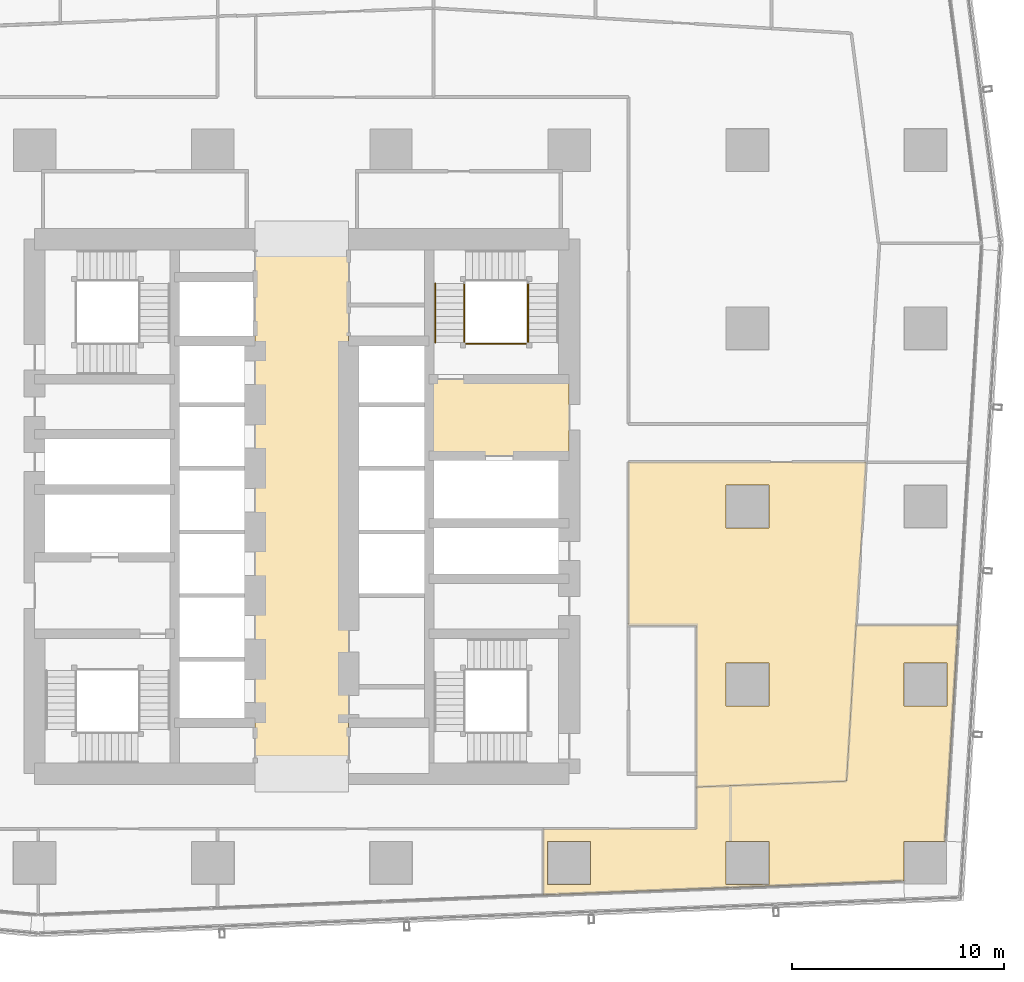
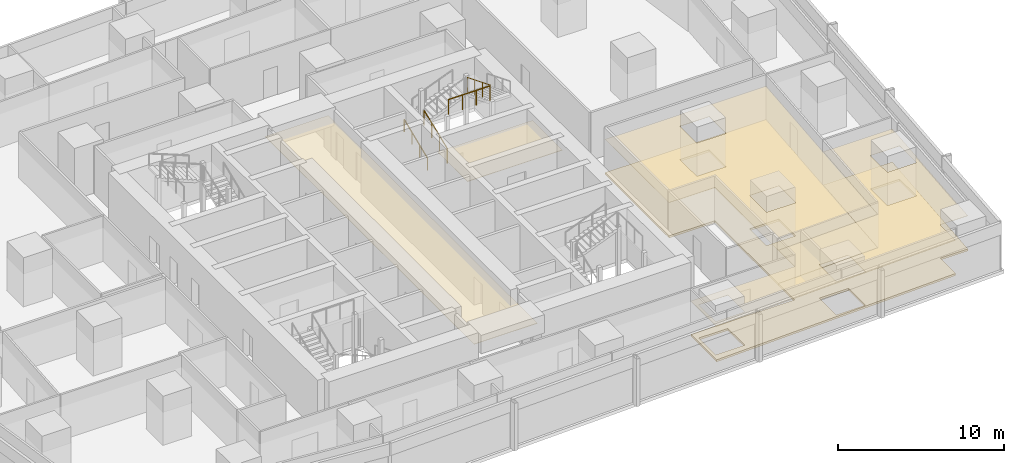
# One storey, part 37 of 39: 6 coverings, 4 railings.
"""IFC4 building model written with IfcOpenShell, lengths in metres."""

from ifc_helpers import new_model, si_unit, direction, frame, origin, origin_2d, place, context, subcontext, project, spatial, polyline, circle, outline, extrude, material, layer, layer_set, type_object, element, save


model = new_model("IFC4")

# Units and contexts
model_context = context("Model", 3, precision=1e-05, world=origin(), true_north=direction((0.0, 1.0)))
body_context = subcontext(model_context, "Body", "Model", "MODEL_VIEW")
ifc_project = project(units=[si_unit("LENGTHUNIT", "METRE"), si_unit("AREAUNIT", "SQUARE_METRE"), si_unit("VOLUMEUNIT", "CUBIC_METRE"), si_unit("PLANEANGLEUNIT", "RADIAN"), si_unit("MASSUNIT", "GRAM", prefix="KILO")], contexts=[model_context])

# Site, building, storey
site_placement = place(None, origin())
site = spatial("IfcSite", under=ifc_project, at=site_placement, CompositionType="ELEMENT")
building_placement = place(site_placement, origin())
building = spatial("IfcBuilding", under=site, at=building_placement, Name="Rekha Terrace Tower", CompositionType="ELEMENT")
storey_placement = place(building_placement, frame((0.0, 0.0, 151.550048828125)))
storey = spatial("IfcBuildingStorey", under=building, at=storey_placement, Name="L38", CompositionType="ELEMENT", Elevation=151.550048828125)

# Coverings
ifc_material_1 = material(Name="Mineral fibre tile in exposed grid", Category="finish")
ifc_layer_1 = layer(ifc_material_1, 0.02001953125)
ifc_layer_set_1 = layer_set([ifc_layer_1], Name="Mineral fibre tile in exposed grid")
covering_type_1 = type_object("IfcCoveringType", Name="CL1 600x1200 office grid ceiling", PredefinedType="CEILING", material=ifc_layer_set_1)
covering_1_placement = place(storey_placement, frame((0.0, 0.0, 2.579833984375)))
element("IfcCovering", 1, at=covering_1_placement, inside=storey, type_object=covering_type_1, Name="Ceiling L38-02", PredefinedType="CEILING", context=body_context, shape_type="SweptSolid", body=[
    extrude(outline(polyline([(63.47607421875, 20.64990234375), (58.011962890625, 20.43701171875), (56.39990234375, 20.3740234375), (56.39990234375, 18.39990234375), (49.179931640625, 18.39990234375), (49.179931640625, 15.2900390625), (58.010986328125, 15.633056640625), (66.18505859375, 15.950927734375), (66.18505859375, 17.81494140625), (68.111083984375, 17.81494140625), (68.735107421875, 27.9970703125), (63.926025390625, 27.9970703125), (63.47607421875, 20.64990234375)]), holes=[polyline([(68.215087890625, 24.18505859375), (66.18505859375, 24.18505859375), (66.18505859375, 26.215087890625), (68.215087890625, 26.215087890625), (68.215087890625, 24.18505859375)]), polyline([(59.81494140625, 15.784912109375), (57.784912109375, 15.784912109375), (57.784912109375, 17.81494140625), (59.81494140625, 17.81494140625), (59.81494140625, 15.784912109375)]), polyline([(51.4150390625, 15.784912109375), (49.385009765625, 15.784912109375), (49.385009765625, 17.81494140625), (51.4150390625, 17.81494140625), (51.4150390625, 15.784912109375)])]), origin(), (0.0, 0.0, 1.0), 0.02001953125),
])
covering_2_placement = place(storey_placement, frame((0.0, 0.0, 2.579833984375)))
element("IfcCovering", 2, at=covering_2_placement, inside=storey, type_object=covering_type_1, Name="Ceiling L38-O1b", PredefinedType="CEILING", context=body_context, shape_type="SweptSolid", body=[
    extrude(outline(polyline([(56.39990234375, 20.3740234375), (58.010009765625, 20.43701171875), (63.47607421875, 20.64990234375), (63.926025390625, 27.998046875), (64.39697265625, 35.68994140625), (53.199951171875, 35.68994140625), (53.199951171875, 28.0), (56.39990234375, 28.0), (56.39990234375, 20.3740234375)]), holes=[polyline([(59.81494140625, 26.215087890625), (59.81494140625, 24.18505859375), (57.784912109375, 24.18505859375), (57.784912109375, 26.215087890625), (59.81494140625, 26.215087890625)]), polyline([(59.81494140625, 32.5849609375), (57.784912109375, 32.5849609375), (57.784912109375, 34.614990234375), (59.81494140625, 34.614990234375), (59.81494140625, 32.5849609375)])]), origin(), (0.0, 0.0, 1.0), 0.02001953125),
])
ifc_material_2 = material(Name="Powder-coated aluminium pan", Category="aluminium")
ifc_layer_2 = layer(ifc_material_2, 0.030029296875)
ifc_layer_set_2 = layer_set([ifc_layer_2], Name="Powder-coated aluminium pan")
covering_type_2 = type_object("IfcCoveringType", Name="CL3 300x1200 metal pan ceiling", PredefinedType="CEILING", material=ifc_layer_set_2)
covering_3_placement = place(storey_placement, frame((0.0, 0.0, 2.570068359375)))
element("IfcCovering", 3, at=covering_3_placement, inside=storey, type_object=covering_type_2, Name="Ceiling L38-LOBBY", PredefinedType="CEILING", context=body_context, shape_type="SweptSolid", body=[
    extrude(outline(polyline([(40.0, 46.199951171875), (35.60009765625, 46.199951171875), (35.60009765625, 21.0), (40.0, 21.0), (40.0, 46.199951171875)])), origin(), (0.0, 0.0, 1.0), 0.02978515625),
])
covering_4_placement = place(storey_placement, frame((0.0, 0.0, 2.570068359375)))
element("IfcCovering", 4, at=covering_4_placement, inside=storey, type_object=covering_type_2, Name="Ceiling L38-FLB2", PredefinedType="CEILING", context=body_context, shape_type="SweptSolid", body=[
    extrude(outline(polyline([(50.39990234375, 39.60009765625), (43.800048828125, 39.60009765625), (43.800048828125, 36.0), (50.39990234375, 36.0), (50.39990234375, 39.60009765625)])), origin(), (0.0, 0.0, 1.0), 0.02978515625),
])

# Railings
ifc_material_3 = material(Name="Stainless steel balustrade", Category="steel")
railing_type_1 = type_object("IfcRailingType", Name="GR1 1100 stair guard", PredefinedType="GUARDRAIL", material=ifc_material_3)
railing_1_placement = place(storey_placement, frame((45.465087890625, 41.324951171875, 0.125)))
element("IfcRailing", 5, at=railing_1_placement, inside=storey, type_object=railing_type_1, Name="Guard ST2 L38 flight 1", PredefinedType="GUARDRAIL", context=body_context, shape_type="SweptSolid", body=[
    extrude(circle(Radius=0.02392578125, at=origin_2d()), frame((0.0, 0.0, 1.076171875), z_axis=(0.0, 0.927443287984, 0.373963831907), x_axis=(-1.0, 0.0, 0.0)), (0.0, 0.0, 1.0), 3.00830078125),
    extrude(circle(Radius=0.02099609375, at=origin_2d()), origin(), (0.0, 0.0, 1.0), 1.052001953125),
    extrude(circle(Radius=0.02099609375, at=origin_2d()), frame((0.0, 0.929931640625, 0.375)), (0.0, 0.0, 1.0), 1.052001953125),
    extrude(circle(Radius=0.02099609375, at=origin_2d()), frame((0.0, 1.860107421875, 0.75)), (0.0, 0.0, 1.0), 1.052001953125),
    extrude(circle(Radius=0.02099609375, at=origin_2d()), frame((0.0, 2.7900390625, 1.125)), (0.0, 0.0, 1.0), 1.052001953125),
])
railing_2_placement = place(storey_placement, frame((48.4599609375, 44.114990234375, 2.625)))
element("IfcRailing", 6, at=railing_2_placement, inside=storey, type_object=railing_type_1, Name="Guard ST2 L38 flight 3", PredefinedType="GUARDRAIL", context=body_context, shape_type="SweptSolid", body=[
    extrude(circle(Radius=0.02392578125, at=origin_2d()), frame((0.0, 0.0, 1.076171875), z_axis=(0.0, -0.927443287984, 0.373963831907), x_axis=(1.0, 0.0, 0.0)), (0.0, 0.0, 1.0), 3.00830078125),
    extrude(circle(Radius=0.02099609375, at=origin_2d()), origin(), (0.0, 0.0, 1.0), 1.052001953125),
    extrude(circle(Radius=0.02099609375, at=origin_2d()), frame((0.0, -0.929931640625, 0.375)), (0.0, 0.0, 1.0), 1.052001953125),
    extrude(circle(Radius=0.02099609375, at=origin_2d()), frame((0.0, -1.860107421875, 0.75)), (0.0, 0.0, 1.0), 1.052001953125),
    extrude(circle(Radius=0.02099609375, at=origin_2d()), frame((0.0, -2.7900390625, 1.125)), (0.0, 0.0, 1.0), 1.052001953125),
])
railing_3_placement = place(storey_placement, frame((45.52490234375, 41.264892578125, 3.75)))
element("IfcRailing", 7, at=railing_3_placement, inside=storey, type_object=railing_type_1, Name="Guard ST2 L38 landing 4", PredefinedType="GUARDRAIL", context=body_context, shape_type="SweptSolid", body=[
    extrude(circle(Radius=0.02392578125, at=origin_2d()), frame((0.0, 0.0, 1.076171875), z_axis=(1.0, 0.0, 0.0), x_axis=(0.0, 1.0, 0.0)), (0.0, 0.0, 1.0), 2.875),
    extrude(circle(Radius=0.02099609375, at=origin_2d()), origin(), (0.0, 0.0, 1.0), 1.052001953125),
    extrude(circle(Radius=0.02099609375, at=origin_2d()), frame((0.958251953125, 0.0, 0.0)), (0.0, 0.0, 1.0), 1.052001953125),
    extrude(circle(Radius=0.02099609375, at=origin_2d()), frame((1.916748046875, 0.0, 0.0)), (0.0, 0.0, 1.0), 1.052001953125),
    extrude(circle(Radius=0.02099609375, at=origin_2d()), frame((2.875, 0.0, 0.0)), (0.0, 0.0, 1.0), 1.052001953125),
])
ifc_material_4 = material(Name="Stainless steel tube", Category="steel")
railing_type_2 = type_object("IfcRailingType", Name="HR1 900 stair handrail", PredefinedType="HANDRAIL", material=ifc_material_4)
railing_4_placement = place(storey_placement, frame((44.0849609375, 41.324951171875, 0.125)))
element("IfcRailing", 8, at=railing_4_placement, inside=storey, type_object=railing_type_2, Name="Handrail ST2 L38 flight 1", PredefinedType="HANDRAIL", context=body_context, shape_type="SweptSolid", body=[
    extrude(circle(Radius=0.02392578125, at=origin_2d()), frame((0.0, 0.0, 0.8759765625), z_axis=(0.0, 0.927443287984, 0.373963831907), x_axis=(-1.0, 0.0, 0.0)), (0.0, 0.0, 1.0), 3.00830078125),
    extrude(circle(Radius=0.02099609375, at=origin_2d()), origin(), (0.0, 0.0, 1.0), 0.851806640625),
    extrude(circle(Radius=0.02099609375, at=origin_2d()), frame((0.0, 0.929931640625, 0.375)), (0.0, 0.0, 1.0), 0.851806640625),
    extrude(circle(Radius=0.02099609375, at=origin_2d()), frame((0.0, 1.860107421875, 0.75)), (0.0, 0.0, 1.0), 0.851806640625),
    extrude(circle(Radius=0.02099609375, at=origin_2d()), frame((0.0, 2.7900390625, 1.125)), (0.0, 0.0, 1.0), 0.851806640625),
])

# Coverings
ifc_material_5 = material(Name="Calcium sulphate panels on steel pedestals", Category="steel")
ifc_layer_3 = layer(ifc_material_5, 0.14990234375)
ifc_layer_set_3 = layer_set([ifc_layer_3], Name="Calcium sulphate panels on steel pedestals")
covering_type_3 = type_object("IfcCoveringType", Name="RF1 150 raised access floor", PredefinedType="FLOORING", material=ifc_layer_set_3)
covering_5_placement = place(storey_placement, origin())
element("IfcCovering", 9, at=covering_5_placement, inside=storey, type_object=covering_type_3, Name="Raised floor L38-02", PredefinedType="FLOORING", context=body_context, shape_type="SweptSolid", body=[
    extrude(outline(polyline([(63.47607421875, 20.64990234375), (58.011962890625, 20.43701171875), (56.39990234375, 20.3740234375), (56.39990234375, 18.39990234375), (49.179931640625, 18.39990234375), (49.179931640625, 15.2900390625), (58.010986328125, 15.633056640625), (66.18505859375, 15.950927734375), (66.18505859375, 17.81494140625), (68.111083984375, 17.81494140625), (68.735107421875, 27.9970703125), (63.926025390625, 27.9970703125), (63.47607421875, 20.64990234375)]), holes=[polyline([(68.215087890625, 24.18505859375), (66.18505859375, 24.18505859375), (66.18505859375, 26.215087890625), (68.215087890625, 26.215087890625), (68.215087890625, 24.18505859375)]), polyline([(59.81494140625, 15.784912109375), (57.784912109375, 15.784912109375), (57.784912109375, 17.81494140625), (59.81494140625, 17.81494140625), (59.81494140625, 15.784912109375)]), polyline([(51.4150390625, 15.784912109375), (49.385009765625, 15.784912109375), (49.385009765625, 17.81494140625), (51.4150390625, 17.81494140625), (51.4150390625, 15.784912109375)])]), origin(), (0.0, 0.0, 1.0), 0.14990234375),
])
covering_6_placement = place(storey_placement, origin())
element("IfcCovering", 10, at=covering_6_placement, inside=storey, type_object=covering_type_3, Name="Raised floor L38-O1b", PredefinedType="FLOORING", context=body_context, shape_type="SweptSolid", body=[
    extrude(outline(polyline([(56.39990234375, 20.3740234375), (58.010009765625, 20.43701171875), (63.47607421875, 20.64990234375), (63.926025390625, 27.998046875), (64.39697265625, 35.68994140625), (53.199951171875, 35.68994140625), (53.199951171875, 28.0), (56.39990234375, 28.0), (56.39990234375, 20.3740234375)]), holes=[polyline([(59.81494140625, 26.215087890625), (59.81494140625, 24.18505859375), (57.784912109375, 24.18505859375), (57.784912109375, 26.215087890625), (59.81494140625, 26.215087890625)]), polyline([(59.81494140625, 32.5849609375), (57.784912109375, 32.5849609375), (57.784912109375, 34.614990234375), (59.81494140625, 34.614990234375), (59.81494140625, 32.5849609375)])]), origin(), (0.0, 0.0, 1.0), 0.14990234375),
])

save(model, "model.ifc")
